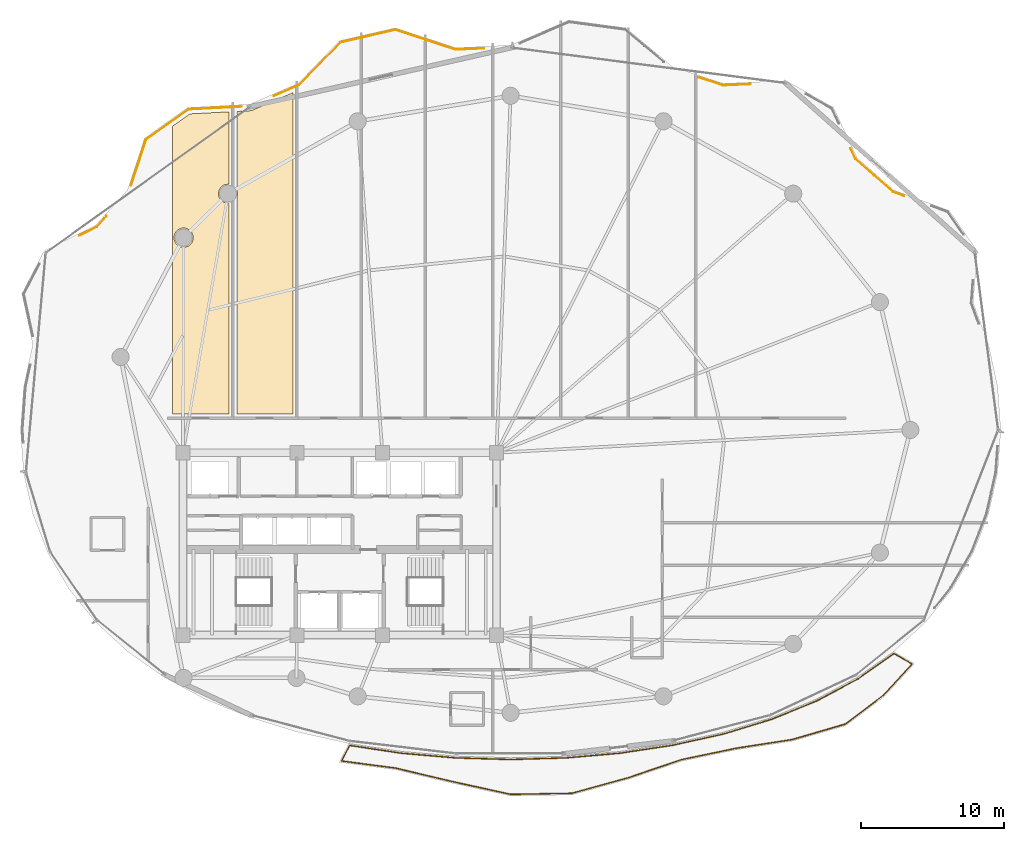
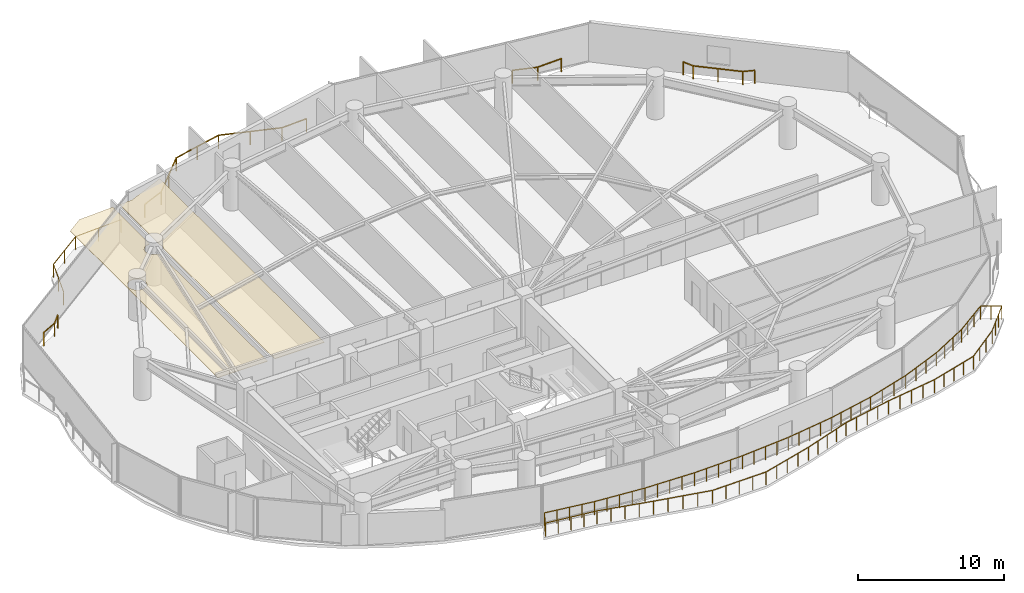
# One storey, part 32 of 33: 6 railings, 2 coverings.
"""IFC4 building model written with IfcOpenShell, lengths in metres."""

from ifc_helpers import new_model, si_unit, direction, frame, origin, origin_2d, place, context, subcontext, project, spatial, polyline, rectangle, outline, extrude, material, layer, layer_set, type_object, element, save


model = new_model("IFC4")

# Units and contexts
model_context = context("Model", 3, precision=1e-05, world=origin(), true_north=direction((0.0, 1.0)))
body_context = subcontext(model_context, "Body", "Model", "MODEL_VIEW")
ifc_project = project(units=[si_unit("LENGTHUNIT", "METRE"), si_unit("AREAUNIT", "SQUARE_METRE"), si_unit("VOLUMEUNIT", "CUBIC_METRE"), si_unit("PLANEANGLEUNIT", "RADIAN"), si_unit("MASSUNIT", "GRAM", prefix="KILO")], contexts=[model_context])

# Site, building, storey
site_placement = place(None, origin())
site = spatial("IfcSite", under=ifc_project, at=site_placement, CompositionType="ELEMENT")
building_placement = place(site_placement, origin())
building = spatial("IfcBuilding", under=site, at=building_placement, Name="Kazevale Care Tower and Concert Hall", CompositionType="ELEMENT")
storey_placement = place(building_placement, frame((0.0, 0.0, 178.199951171875)))
storey = spatial("IfcBuildingStorey", under=building, at=storey_placement, Name="L47", CompositionType="ELEMENT", Elevation=178.199951171875)

# Coverings
ifc_material_1 = material(Name="Acoustic Plaster and Hinoki Wood", Category="wood")
ifc_layer = layer(ifc_material_1, 0.0400390625)
ifc_layer_set = layer_set([ifc_layer], Name="Acoustic Plaster and Hinoki Wood")
covering_type = type_object("IfcCoveringType", Name="Acoustic Perforated Wood-Gypsum Ceiling", PredefinedType="CEILING", material=ifc_layer_set)
covering_1_placement = place(storey_placement, frame((0.0, 0.0, 2.630126953125)))
element("IfcCovering", 1, at=covering_1_placement, inside=storey, type_object=covering_type, Name="clg:L47:1", PredefinedType="CEILING", context=body_context, shape_type="SweptSolid", body=[
    extrude(outline(polyline([(25.219970703125, 55.2548828125), (24.909912109375, 55.2080078125), (24.68896484375, 55.06103515625), (24.5419921875, 54.840087890625), (24.489990234375, 54.580078125), (24.5419921875, 54.320068359375), (24.68896484375, 54.09912109375), (24.909912109375, 53.951904296875), (25.219970703125, 53.905029296875), (25.219970703125, 39.10498046875), (21.280029296875, 39.10498046875), (21.280029296875, 59.318115234375), (22.493896484375, 60.181884765625), (25.219970703125, 60.323974609375), (25.219970703125, 55.2548828125)]), holes=[polyline([(22.717041015625, 51.623046875), (22.614990234375, 51.867919921875), (22.427978515625, 52.054931640625), (22.18310546875, 52.156982421875), (21.9169921875, 52.156982421875), (21.672119140625, 52.054931640625), (21.485107421875, 51.867919921875), (21.383056640625, 51.623046875), (21.383056640625, 51.35693359375), (21.485107421875, 51.112060546875), (21.672119140625, 50.925048828125), (21.9169921875, 50.822998046875), (22.18310546875, 50.822998046875), (22.427978515625, 50.925048828125), (22.614990234375, 51.112060546875), (22.717041015625, 51.35693359375), (22.717041015625, 51.623046875)])]), origin(), (0.0, 0.0, 1.0), 0.0400390625),
])
covering_2_placement = place(storey_placement, frame((0.0, 0.0, 2.630126953125)))
element("IfcCovering", 2, at=covering_2_placement, inside=storey, type_object=covering_type, Name="clg:L47:2", PredefinedType="CEILING", context=body_context, shape_type="SweptSolid", body=[
    extrude(outline(polyline([(25.780029296875, 39.10498046875), (25.780029296875, 54.285888671875), (25.85009765625, 54.580078125), (25.780029296875, 54.8740234375), (25.780029296875, 60.35302734375), (26.804931640625, 60.406982421875), (29.719970703125, 61.6708984375), (29.719970703125, 39.10498046875), (25.780029296875, 39.10498046875)])), origin(), (0.0, 0.0, 1.0), 0.0400390625),
])

# Railings
ifc_material_2 = material(Name="Anodised Bronze Aluminium and Laminated Glass", Category="aluminium")
railing_type = type_object("IfcRailingType", Name="Balcony and Terrace Balustrade 1120", PredefinedType="BALUSTRADE", material=ifc_material_2)
railing_1_placement = place(storey_placement, frame((14.743896484375, 51.64599609375, 0.0)))
element("IfcRailing", 3, at=railing_1_placement, inside=storey, type_object=railing_type, Name="rail:L47:perim:3", PredefinedType="BALUSTRADE", context=body_context, shape_type="SweptSolid", body=[
    extrude(rectangle(XDim=0.048095703125, YDim=0.048095703125, at=origin_2d()), frame((0.0, 0.0, 1.09619140625), z_axis=(0.895181342234, 0.445702102885, 0.0), x_axis=(-0.445702102885, 0.895181342234, 0.0)), (0.0, 0.0, 1.0), 1.357421875),
    extrude(rectangle(XDim=0.048095703125, YDim=0.048095703125, at=origin_2d()), frame((1.215087890625, 0.60498046875, 1.09619140625), z_axis=(0.670216930837, 0.742165254926, 0.0), x_axis=(-0.742165254926, 0.670216930837, 0.0)), (0.0, 0.0, 1.0), 1.0009765625),
    extrude(rectangle(XDim=0.0419921875, YDim=0.0419921875, at=origin_2d()), origin(), (0.0, 0.0, 1.0), 1.072021484375),
    extrude(rectangle(XDim=0.0419921875, YDim=0.0419921875, at=origin_2d()), frame((1.215087890625, 0.60498046875, 0.0)), (0.0, 0.0, 1.0), 1.072021484375),
    extrude(rectangle(XDim=0.0419921875, YDim=0.0419921875, at=origin_2d()), frame((1.885986328125, 1.347900390625, 0.0)), (0.0, 0.0, 1.0), 1.072021484375),
])
railing_2_placement = place(storey_placement, frame((18.361083984375, 55.1640625, 0.0)))
element("IfcRailing", 4, at=railing_2_placement, inside=storey, type_object=railing_type, Name="rail:L47:perim:4", PredefinedType="BALUSTRADE", context=body_context, shape_type="SweptSolid", body=[
    extrude(rectangle(XDim=0.048095703125, YDim=0.048095703125, at=origin_2d()), frame((0.0, 0.0, 1.09619140625), z_axis=(0.31116334977, 0.95035644353, 0.0), x_axis=(-0.95035644353, 0.31116334977, 0.0)), (0.0, 0.0, 1.0), 3.38720703125),
    extrude(rectangle(XDim=0.048095703125, YDim=0.048095703125, at=origin_2d()), frame((1.053955078125, 3.218994140625, 1.09619140625), z_axis=(0.81472815081, 0.579843116953, 0.0), x_axis=(-0.579843116953, 0.81472815081, 0.0)), (0.0, 0.0, 1.0), 3.64404296875),
    extrude(rectangle(XDim=0.048095703125, YDim=0.048095703125, at=origin_2d()), frame((4.02294921875, 5.33203125, 1.09619140625), z_axis=(0.998638441981, 0.052165718614, 0.0), x_axis=(-0.052165718614, 0.998638441981, 0.0)), (0.0, 0.0, 1.0), 3.716064453125),
    extrude(rectangle(XDim=0.0419921875, YDim=0.0419921875, at=origin_2d()), origin(), (0.0, 0.0, 1.0), 1.072021484375),
    extrude(rectangle(XDim=0.0419921875, YDim=0.0419921875, at=origin_2d()), frame((0.52685546875, 1.609375, 0.0)), (0.0, 0.0, 1.0), 1.072021484375),
    extrude(rectangle(XDim=0.0419921875, YDim=0.0419921875, at=origin_2d()), frame((1.053955078125, 3.218994140625, 0.0)), (0.0, 0.0, 1.0), 1.072021484375),
    extrude(rectangle(XDim=0.0419921875, YDim=0.0419921875, at=origin_2d()), frame((2.53857421875, 4.275390625, 0.0)), (0.0, 0.0, 1.0), 1.072021484375),
    extrude(rectangle(XDim=0.0419921875, YDim=0.0419921875, at=origin_2d()), frame((4.02294921875, 5.33203125, 0.0)), (0.0, 0.0, 1.0), 1.072021484375),
    extrude(rectangle(XDim=0.0419921875, YDim=0.0419921875, at=origin_2d()), frame((5.87841796875, 5.428955078125, 0.0)), (0.0, 0.0, 1.0), 1.072021484375),
    extrude(rectangle(XDim=0.0419921875, YDim=0.0419921875, at=origin_2d()), frame((7.73388671875, 5.52587890625, 0.0)), (0.0, 0.0, 1.0), 1.072021484375),
])
railing_3_placement = place(storey_placement, frame((28.406982421875, 61.449951171875, 0.0)))
element("IfcRailing", 5, at=railing_3_placement, inside=storey, type_object=railing_type, Name="rail:L47:perim:5", PredefinedType="BALUSTRADE", context=body_context, shape_type="SweptSolid", body=[
    extrude(rectangle(XDim=0.048095703125, YDim=0.048095703125, at=origin_2d()), frame((0.0, 0.0, 1.09619140625), z_axis=(0.917259366497, 0.398290414866, 0.0), x_axis=(-0.398290414866, 0.917259366497, 0.0)), (0.0, 0.0, 1.0), 1.90576171875),
    extrude(rectangle(XDim=0.048095703125, YDim=0.048095703125, at=origin_2d()), frame((1.748046875, 0.759033203125, 1.09619140625), z_axis=(0.697682289334, 0.716407302551, 0.0), x_axis=(-0.716407302551, 0.697682289334, 0.0)), (0.0, 0.0, 1.0), 4.172119140625),
    extrude(rectangle(XDim=0.048095703125, YDim=0.048095703125, at=origin_2d()), frame((4.658935546875, 3.748046875, 1.09619140625), z_axis=(0.974660011093, 0.223691445471, 0.0), x_axis=(-0.223691445471, 0.974660011093, 0.0)), (0.0, 0.0, 1.0), 3.93896484375),
    extrude(rectangle(XDim=0.048095703125, YDim=0.048095703125, at=origin_2d()), frame((8.498046875, 4.629150390625, 1.09619140625), z_axis=(0.949878818656, -0.31261834538, 0.0), x_axis=(0.31261834538, 0.949878818656, 0.0)), (0.0, 0.0, 1.0), 4.44677734375),
    extrude(rectangle(XDim=0.048095703125, YDim=0.048095703125, at=origin_2d()), frame((12.721923828125, 3.239013671875, 1.09619140625), z_axis=(0.999018758403, 0.044289054622, 0.0), x_axis=(-0.044289054622, 0.999018758403, 0.0)), (0.0, 0.0, 1.0), 1.989990234375),
    extrude(rectangle(XDim=0.0419921875, YDim=0.0419921875, at=origin_2d()), origin(), (0.0, 0.0, 1.0), 1.072021484375),
    extrude(rectangle(XDim=0.0419921875, YDim=0.0419921875, at=origin_2d()), frame((1.748046875, 0.759033203125, 0.0)), (0.0, 0.0, 1.0), 1.072021484375),
    extrude(rectangle(XDim=0.0419921875, YDim=0.0419921875, at=origin_2d()), frame((3.20361328125, 2.25341796875, 0.0)), (0.0, 0.0, 1.0), 1.072021484375),
    extrude(rectangle(XDim=0.0419921875, YDim=0.0419921875, at=origin_2d()), frame((4.658935546875, 3.748046875, 0.0)), (0.0, 0.0, 1.0), 1.072021484375),
    extrude(rectangle(XDim=0.0419921875, YDim=0.0419921875, at=origin_2d()), frame((6.57861328125, 4.1884765625, 0.0)), (0.0, 0.0, 1.0), 1.072021484375),
    extrude(rectangle(XDim=0.0419921875, YDim=0.0419921875, at=origin_2d()), frame((8.498046875, 4.629150390625, 0.0)), (0.0, 0.0, 1.0), 1.072021484375),
    extrude(rectangle(XDim=0.0419921875, YDim=0.0419921875, at=origin_2d()), frame((10.60986328125, 3.93408203125, 0.0)), (0.0, 0.0, 1.0), 1.072021484375),
    extrude(rectangle(XDim=0.0419921875, YDim=0.0419921875, at=origin_2d()), frame((12.721923828125, 3.239013671875, 0.0)), (0.0, 0.0, 1.0), 1.072021484375),
    extrude(rectangle(XDim=0.0419921875, YDim=0.0419921875, at=origin_2d()), frame((14.7099609375, 3.3271484375, 0.0)), (0.0, 0.0, 1.0), 1.072021484375),
])
railing_4_placement = place(storey_placement, frame((58.218017578125, 62.73388671875, 0.0)))
element("IfcRailing", 6, at=railing_4_placement, inside=storey, type_object=railing_type, Name="rail:L47:perim:7", PredefinedType="BALUSTRADE", context=body_context, shape_type="SweptSolid", body=[
    extrude(rectangle(XDim=0.048095703125, YDim=0.048095703125, at=origin_2d()), frame((0.0, 0.0, 1.09619140625), z_axis=(0.950995651037, -0.309204255645, 0.0), x_axis=(0.309204255645, 0.950995651037, 0.0)), (0.0, 0.0, 1.0), 1.77490234375),
    extrude(rectangle(XDim=0.048095703125, YDim=0.048095703125, at=origin_2d()), frame((1.68798828125, -0.548828125, 1.09619140625), z_axis=(0.99909423761, 0.042552372143, 0.0), x_axis=(-0.042552372143, 0.99909423761, 0.0)), (0.0, 0.0, 1.0), 1.927734375),
    extrude(rectangle(XDim=0.0419921875, YDim=0.0419921875, at=origin_2d()), origin(), (0.0, 0.0, 1.0), 1.072021484375),
    extrude(rectangle(XDim=0.0419921875, YDim=0.0419921875, at=origin_2d()), frame((1.68798828125, -0.548828125, 0.0)), (0.0, 0.0, 1.0), 1.072021484375),
    extrude(rectangle(XDim=0.0419921875, YDim=0.0419921875, at=origin_2d()), frame((3.614013671875, -0.466796875, 0.0)), (0.0, 0.0, 1.0), 1.072021484375),
])
railing_5_placement = place(storey_placement, frame((68.85693359375, 57.760009765625, 0.0)))
element("IfcRailing", 7, at=railing_5_placement, inside=storey, type_object=railing_type, Name="rail:L47:perim:9", PredefinedType="BALUSTRADE", context=body_context, shape_type="SweptSolid", body=[
    extrude(rectangle(XDim=0.048095703125, YDim=0.048095703125, at=origin_2d()), frame((0.0, 0.0, 1.09619140625), z_axis=(0.42407317981, -0.905627924794, 0.0), x_axis=(0.905627924794, 0.42407317981, 0.0)), (0.0, 0.0, 1.0), 0.83251953125),
    extrude(rectangle(XDim=0.048095703125, YDim=0.048095703125, at=origin_2d()), frame((0.35302734375, -0.75390625, 1.09619140625), z_axis=(0.751344255412, -0.65991045594, 0.0), x_axis=(0.65991045594, 0.751344255412, 0.0)), (0.0, 0.0, 1.0), 3.4765625),
    extrude(rectangle(XDim=0.048095703125, YDim=0.048095703125, at=origin_2d()), frame((2.965087890625, -3.048095703125, 1.09619140625), z_axis=(0.938403352722, -0.345541817439, 0.0), x_axis=(0.345541817439, 0.938403352722, 0.0)), (0.0, 0.0, 1.0), 0.830078125),
    extrude(rectangle(XDim=0.0419921875, YDim=0.0419921875, at=origin_2d()), origin(), (0.0, 0.0, 1.0), 1.072021484375),
    extrude(rectangle(XDim=0.0419921875, YDim=0.0419921875, at=origin_2d()), frame((0.35302734375, -0.75390625, 0.0)), (0.0, 0.0, 1.0), 1.072021484375),
    extrude(rectangle(XDim=0.0419921875, YDim=0.0419921875, at=origin_2d()), frame((1.6591796875, -1.90087890625, 0.0)), (0.0, 0.0, 1.0), 1.072021484375),
    extrude(rectangle(XDim=0.0419921875, YDim=0.0419921875, at=origin_2d()), frame((2.965087890625, -3.048095703125, 0.0)), (0.0, 0.0, 1.0), 1.072021484375),
    extrude(rectangle(XDim=0.0419921875, YDim=0.0419921875, at=origin_2d()), frame((3.744140625, -3.3349609375, 0.0)), (0.0, 0.0, 1.0), 1.072021484375),
])
railing_6_placement = place(storey_placement, frame((33.702880859375, 15.861083984375, 0.0)))
element("IfcRailing", 8, at=railing_6_placement, inside=storey, type_object=railing_type, Name="rail:L47:balcony", PredefinedType="BALUSTRADE", context=body_context, shape_type="SweptSolid", body=[
    extrude(rectangle(XDim=0.048095703125, YDim=0.048095703125, at=origin_2d()), frame((0.0, 0.0, 1.09619140625), z_axis=(0.988898738041, -0.148591002089, 0.0), x_axis=(0.148591002089, 0.988898738041, 0.0)), (0.0, 0.0, 1.0), 3.6689453125),
    extrude(rectangle(XDim=0.048095703125, YDim=0.048095703125, at=origin_2d()), frame((3.628173828125, -0.545166015625, 1.09619140625), z_axis=(0.996251838222, -0.086500143585, 0.0), x_axis=(0.086500143585, 0.996251838222, 0.0)), (0.0, 0.0, 1.0), 3.824462890625),
    extrude(rectangle(XDim=0.048095703125, YDim=0.048095703125, at=origin_2d()), frame((7.438232421875, -0.8759765625, 1.09619140625), z_axis=(0.999593168995, -0.028521860004, 0.0), x_axis=(0.028521860004, 0.999593168995, 0.0)), (0.0, 0.0, 1.0), 3.8603515625),
    extrude(rectangle(XDim=0.048095703125, YDim=0.048095703125, at=origin_2d()), frame((11.297119140625, -0.986083984375, 1.09619140625), z_axis=(0.999593168995, 0.028521860004, 0.0), x_axis=(-0.028521860004, 0.999593168995, 0.0)), (0.0, 0.0, 1.0), 3.8603515625),
    extrude(rectangle(XDim=0.048095703125, YDim=0.048095703125, at=origin_2d()), frame((15.156005859375, -0.8759765625, 1.09619140625), z_axis=(0.996251838222, 0.086500143585, 0.0), x_axis=(-0.086500143585, 0.996251838222, 0.0)), (0.0, 0.0, 1.0), 3.824462890625),
    extrude(rectangle(XDim=0.048095703125, YDim=0.048095703125, at=origin_2d()), frame((18.966064453125, -0.545166015625, 1.09619140625), z_axis=(0.988903437953, 0.148559719995, 0.0), x_axis=(-0.148559719995, 0.988903437953, 0.0)), (0.0, 0.0, 1.0), 3.7568359375),
    extrude(rectangle(XDim=0.048095703125, YDim=0.048095703125, at=origin_2d()), frame((22.68115234375, 0.012939453125, 1.09619140625), z_axis=(0.9762591871, 0.216605631512, 0.0), x_axis=(-0.216605631512, 0.9762591871, 0.0)), (0.0, 0.0, 1.0), 3.660888671875),
    extrude(rectangle(XDim=0.048095703125, YDim=0.048095703125, at=origin_2d()), frame((26.255126953125, 0.805908203125, 1.09619140625), z_axis=(0.956153868694, 0.292864780028, 0.0), x_axis=(-0.292864780028, 0.956153868694, 0.0)), (0.0, 0.0, 1.0), 3.541259765625),
    extrude(rectangle(XDim=0.048095703125, YDim=0.048095703125, at=origin_2d()), frame((29.64111328125, 1.843017578125, 1.09619140625), z_axis=(0.925821569017, 0.377960874089, 0.0), x_axis=(-0.377960874089, 0.925821569017, 0.0)), (0.0, 0.0, 1.0), 3.409912109375),
    extrude(rectangle(XDim=0.048095703125, YDim=0.048095703125, at=origin_2d()), frame((32.798095703125, 3.1318359375, 1.09619140625), z_axis=(0.881173131857, 0.472793730598, 0.0), x_axis=(-0.472793730598, 0.881173131857, 0.0)), (0.0, 0.0, 1.0), 3.278564453125),
    extrude(rectangle(XDim=0.048095703125, YDim=0.048095703125, at=origin_2d()), frame((35.68701171875, 4.681884765625, 1.09619140625), z_axis=(0.818641866863, 0.574304356435, 0.0), x_axis=(-0.574304356435, 0.818641866863, 0.0)), (0.0, 0.0, 1.0), 3.073486328125),
    extrude(rectangle(XDim=0.048095703125, YDim=0.048095703125, at=origin_2d()), frame((38.203125, 6.447021484375, 1.09619140625), z_axis=(0.865840983683, -0.50031928903, 0.0), x_axis=(0.50031928903, 0.865840983683, 0.0)), (0.0, 0.0, 1.0), 1.46337890625),
    extrude(rectangle(XDim=0.048095703125, YDim=0.048095703125, at=origin_2d()), frame((39.47021484375, 5.71484375, 1.09619140625), z_axis=(-0.677760714556, -0.735282540119, 0.0), x_axis=(0.735282540119, -0.677760714556, 0.0)), (0.0, 0.0, 1.0), 2.988037109375),
    extrude(rectangle(XDim=0.048095703125, YDim=0.048095703125, at=origin_2d()), frame((37.445068359375, 3.517822265625, 1.09619140625), z_axis=(-0.796619479202, -0.604481104217, 0.0), x_axis=(0.604481104217, -0.796619479202, 0.0)), (0.0, 0.0, 1.0), 3.33154296875),
    extrude(rectangle(XDim=0.048095703125, YDim=0.048095703125, at=origin_2d()), frame((34.791015625, 1.50390625, 1.09619140625), z_axis=(-0.959966076175, -0.280116284057, 0.0), x_axis=(0.280116284057, -0.959966076175, 0.0)), (0.0, 0.0, 1.0), 3.869873046875),
    extrude(rectangle(XDim=0.048095703125, YDim=0.048095703125, at=origin_2d()), frame((31.076171875, 0.419921875, 1.09619140625), z_axis=(-0.988068349256, -0.154016029031, 0.0), x_axis=(0.154016029031, -0.988068349256, 0.0)), (0.0, 0.0, 1.0), 4.04541015625),
    extrude(rectangle(XDim=0.048095703125, YDim=0.048095703125, at=origin_2d()), frame((27.0791015625, -0.203125, 1.09619140625), z_axis=(-0.978876334501, -0.204453226322, 0.0), x_axis=(0.204453226322, -0.978876334501, 0.0)), (0.0, 0.0, 1.0), 3.887939453125),
    extrude(rectangle(XDim=0.048095703125, YDim=0.048095703125, at=origin_2d()), frame((23.273193359375, -0.998046875, 1.09619140625), z_axis=(-0.946815813512, -0.321776032797, 0.0), x_axis=(0.321776032797, -0.946815813512, 0.0)), (0.0, 0.0, 1.0), 3.903564453125),
    extrude(rectangle(XDim=0.048095703125, YDim=0.048095703125, at=origin_2d()), frame((19.5771484375, -2.254150390625, 1.09619140625), z_axis=(-0.96379724587, -0.266636210694, 0.0), x_axis=(0.266636210694, -0.96379724587, 0.0)), (0.0, 0.0, 1.0), 4.13671875),
    extrude(rectangle(XDim=0.048095703125, YDim=0.048095703125, at=origin_2d()), frame((15.590087890625, -3.357177734375, 1.09619140625), z_axis=(-0.999854652975, -0.017049132663, 0.0), x_axis=(0.017049132663, -0.999854652975, 0.0)), (0.0, 0.0, 1.0), 4.28173828125),
    extrude(rectangle(XDim=0.048095703125, YDim=0.048095703125, at=origin_2d()), frame((11.30908203125, -3.43017578125, 1.09619140625), z_axis=(-0.976934831163, 0.213537668014, 0.0), x_axis=(-0.213537668014, -0.976934831163, 0.0)), (0.0, 0.0, 1.0), 4.253173828125),
    extrude(rectangle(XDim=0.048095703125, YDim=0.048095703125, at=origin_2d()), frame((7.154052734375, -2.52197265625, 1.09619140625), z_axis=(-0.972925500822, 0.231118951734, 0.0), x_axis=(-0.231118951734, -0.972925500822, 0.0)), (0.0, 0.0, 1.0), 4.036376953125),
    extrude(rectangle(XDim=0.048095703125, YDim=0.048095703125, at=origin_2d()), frame((3.22705078125, -1.589111328125, 1.09619140625), z_axis=(-0.99144298825, 0.130540419221, 0.0), x_axis=(-0.130540419221, -0.99144298825, 0.0)), (0.0, 0.0, 1.0), 3.82275390625),
    extrude(rectangle(XDim=0.048095703125, YDim=0.048095703125, at=origin_2d()), frame((-0.56298828125, -1.090087890625, 1.09619140625), z_axis=(0.458876069892, 0.888500282769, 0.0), x_axis=(-0.888500282769, 0.458876069892, 0.0)), (0.0, 0.0, 1.0), 1.226806640625),
    extrude(rectangle(XDim=0.0419921875, YDim=0.0419921875, at=origin_2d()), origin(), (0.0, 0.0, 1.0), 1.072021484375),
    extrude(rectangle(XDim=0.0419921875, YDim=0.0419921875, at=origin_2d()), frame((0.906982421875, -0.13623046875, 0.0)), (0.0, 0.0, 1.0), 1.072021484375),
    extrude(rectangle(XDim=0.0419921875, YDim=0.0419921875, at=origin_2d()), frame((1.81396484375, -0.2724609375, 0.0)), (0.0, 0.0, 1.0), 1.072021484375),
    extrude(rectangle(XDim=0.0419921875, YDim=0.0419921875, at=origin_2d()), frame((2.72119140625, -0.408935546875, 0.0)), (0.0, 0.0, 1.0), 1.072021484375),
    extrude(rectangle(XDim=0.0419921875, YDim=0.0419921875, at=origin_2d()), frame((3.628173828125, -0.545166015625, 0.0)), (0.0, 0.0, 1.0), 1.072021484375),
    extrude(rectangle(XDim=0.0419921875, YDim=0.0419921875, at=origin_2d()), frame((4.58056640625, -0.6279296875, 0.0)), (0.0, 0.0, 1.0), 1.072021484375),
    extrude(rectangle(XDim=0.0419921875, YDim=0.0419921875, at=origin_2d()), frame((5.533203125, -0.71044921875, 0.0)), (0.0, 0.0, 1.0), 1.072021484375),
    extrude(rectangle(XDim=0.0419921875, YDim=0.0419921875, at=origin_2d()), frame((6.48583984375, -0.793212890625, 0.0)), (0.0, 0.0, 1.0), 1.072021484375),
    extrude(rectangle(XDim=0.0419921875, YDim=0.0419921875, at=origin_2d()), frame((7.438232421875, -0.8759765625, 0.0)), (0.0, 0.0, 1.0), 1.072021484375),
    extrude(rectangle(XDim=0.0419921875, YDim=0.0419921875, at=origin_2d()), frame((8.40283203125, -0.903564453125, 0.0)), (0.0, 0.0, 1.0), 1.072021484375),
    extrude(rectangle(XDim=0.0419921875, YDim=0.0419921875, at=origin_2d()), frame((9.36767578125, -0.93115234375, 0.0)), (0.0, 0.0, 1.0), 1.072021484375),
    extrude(rectangle(XDim=0.0419921875, YDim=0.0419921875, at=origin_2d()), frame((10.33251953125, -0.95849609375, 0.0)), (0.0, 0.0, 1.0), 1.072021484375),
    extrude(rectangle(XDim=0.0419921875, YDim=0.0419921875, at=origin_2d()), frame((11.297119140625, -0.986083984375, 0.0)), (0.0, 0.0, 1.0), 1.072021484375),
    extrude(rectangle(XDim=0.0419921875, YDim=0.0419921875, at=origin_2d()), frame((12.26171875, -0.95849609375, 0.0)), (0.0, 0.0, 1.0), 1.072021484375),
    extrude(rectangle(XDim=0.0419921875, YDim=0.0419921875, at=origin_2d()), frame((13.2265625, -0.93115234375, 0.0)), (0.0, 0.0, 1.0), 1.072021484375),
    extrude(rectangle(XDim=0.0419921875, YDim=0.0419921875, at=origin_2d()), frame((14.19140625, -0.903564453125, 0.0)), (0.0, 0.0, 1.0), 1.072021484375),
    extrude(rectangle(XDim=0.0419921875, YDim=0.0419921875, at=origin_2d()), frame((15.156005859375, -0.8759765625, 0.0)), (0.0, 0.0, 1.0), 1.072021484375),
    extrude(rectangle(XDim=0.0419921875, YDim=0.0419921875, at=origin_2d()), frame((16.1083984375, -0.793212890625, 0.0)), (0.0, 0.0, 1.0), 1.072021484375),
    extrude(rectangle(XDim=0.0419921875, YDim=0.0419921875, at=origin_2d()), frame((17.06103515625, -0.71044921875, 0.0)), (0.0, 0.0, 1.0), 1.072021484375),
    extrude(rectangle(XDim=0.0419921875, YDim=0.0419921875, at=origin_2d()), frame((18.013671875, -0.6279296875, 0.0)), (0.0, 0.0, 1.0), 1.072021484375),
    extrude(rectangle(XDim=0.0419921875, YDim=0.0419921875, at=origin_2d()), frame((18.966064453125, -0.545166015625, 0.0)), (0.0, 0.0, 1.0), 1.072021484375),
    extrude(rectangle(XDim=0.0419921875, YDim=0.0419921875, at=origin_2d()), frame((19.894775390625, -0.40576171875, 0.0)), (0.0, 0.0, 1.0), 1.072021484375),
    extrude(rectangle(XDim=0.0419921875, YDim=0.0419921875, at=origin_2d()), frame((20.82373046875, -0.26611328125, 0.0)), (0.0, 0.0, 1.0), 1.072021484375),
    extrude(rectangle(XDim=0.0419921875, YDim=0.0419921875, at=origin_2d()), frame((21.75244140625, -0.12646484375, 0.0)), (0.0, 0.0, 1.0), 1.072021484375),
    extrude(rectangle(XDim=0.0419921875, YDim=0.0419921875, at=origin_2d()), frame((22.68115234375, 0.012939453125, 0.0)), (0.0, 0.0, 1.0), 1.072021484375),
    extrude(rectangle(XDim=0.0419921875, YDim=0.0419921875, at=origin_2d()), frame((23.57470703125, 0.211181640625, 0.0)), (0.0, 0.0, 1.0), 1.072021484375),
    extrude(rectangle(XDim=0.0419921875, YDim=0.0419921875, at=origin_2d()), frame((24.46826171875, 0.409423828125, 0.0)), (0.0, 0.0, 1.0), 1.072021484375),
    extrude(rectangle(XDim=0.0419921875, YDim=0.0419921875, at=origin_2d()), frame((25.361572265625, 0.607666015625, 0.0)), (0.0, 0.0, 1.0), 1.072021484375),
    extrude(rectangle(XDim=0.0419921875, YDim=0.0419921875, at=origin_2d()), frame((26.255126953125, 0.805908203125, 0.0)), (0.0, 0.0, 1.0), 1.072021484375),
    extrude(rectangle(XDim=0.0419921875, YDim=0.0419921875, at=origin_2d()), frame((27.3837890625, 1.151611328125, 0.0)), (0.0, 0.0, 1.0), 1.072021484375),
    extrude(rectangle(XDim=0.0419921875, YDim=0.0419921875, at=origin_2d()), frame((28.512451171875, 1.497314453125, 0.0)), (0.0, 0.0, 1.0), 1.072021484375),
    extrude(rectangle(XDim=0.0419921875, YDim=0.0419921875, at=origin_2d()), frame((29.64111328125, 1.843017578125, 0.0)), (0.0, 0.0, 1.0), 1.072021484375),
    extrude(rectangle(XDim=0.0419921875, YDim=0.0419921875, at=origin_2d()), frame((30.693359375, 2.272705078125, 0.0)), (0.0, 0.0, 1.0), 1.072021484375),
    extrude(rectangle(XDim=0.0419921875, YDim=0.0419921875, at=origin_2d()), frame((31.745849609375, 2.7021484375, 0.0)), (0.0, 0.0, 1.0), 1.072021484375),
    extrude(rectangle(XDim=0.0419921875, YDim=0.0419921875, at=origin_2d()), frame((32.798095703125, 3.1318359375, 0.0)), (0.0, 0.0, 1.0), 1.072021484375),
    extrude(rectangle(XDim=0.0419921875, YDim=0.0419921875, at=origin_2d()), frame((33.760986328125, 3.6484375, 0.0)), (0.0, 0.0, 1.0), 1.072021484375),
    extrude(rectangle(XDim=0.0419921875, YDim=0.0419921875, at=origin_2d()), frame((34.72412109375, 4.165283203125, 0.0)), (0.0, 0.0, 1.0), 1.072021484375),
    extrude(rectangle(XDim=0.0419921875, YDim=0.0419921875, at=origin_2d()), frame((35.68701171875, 4.681884765625, 0.0)), (0.0, 0.0, 1.0), 1.072021484375),
    extrude(rectangle(XDim=0.0419921875, YDim=0.0419921875, at=origin_2d()), frame((36.525634765625, 5.270263671875, 0.0)), (0.0, 0.0, 1.0), 1.072021484375),
    extrude(rectangle(XDim=0.0419921875, YDim=0.0419921875, at=origin_2d()), frame((37.364501953125, 5.858642578125, 0.0)), (0.0, 0.0, 1.0), 1.072021484375),
    extrude(rectangle(XDim=0.0419921875, YDim=0.0419921875, at=origin_2d()), frame((38.203125, 6.447021484375, 0.0)), (0.0, 0.0, 1.0), 1.072021484375),
    extrude(rectangle(XDim=0.0419921875, YDim=0.0419921875, at=origin_2d()), frame((38.836669921875, 6.0810546875, 0.0)), (0.0, 0.0, 1.0), 1.072021484375),
    extrude(rectangle(XDim=0.0419921875, YDim=0.0419921875, at=origin_2d()), frame((39.47021484375, 5.71484375, 0.0)), (0.0, 0.0, 1.0), 1.072021484375),
    extrude(rectangle(XDim=0.0419921875, YDim=0.0419921875, at=origin_2d()), frame((38.795166015625, 4.982421875, 0.0)), (0.0, 0.0, 1.0), 1.072021484375),
    extrude(rectangle(XDim=0.0419921875, YDim=0.0419921875, at=origin_2d()), frame((38.1201171875, 4.250244140625, 0.0)), (0.0, 0.0, 1.0), 1.072021484375),
    extrude(rectangle(XDim=0.0419921875, YDim=0.0419921875, at=origin_2d()), frame((37.445068359375, 3.517822265625, 0.0)), (0.0, 0.0, 1.0), 1.072021484375),
    extrude(rectangle(XDim=0.0419921875, YDim=0.0419921875, at=origin_2d()), frame((36.560302734375, 2.846435546875, 0.0)), (0.0, 0.0, 1.0), 1.072021484375),
    extrude(rectangle(XDim=0.0419921875, YDim=0.0419921875, at=origin_2d()), frame((35.67578125, 2.17529296875, 0.0)), (0.0, 0.0, 1.0), 1.072021484375),
    extrude(rectangle(XDim=0.0419921875, YDim=0.0419921875, at=origin_2d()), frame((34.791015625, 1.50390625, 0.0)), (0.0, 0.0, 1.0), 1.072021484375),
    extrude(rectangle(XDim=0.0419921875, YDim=0.0419921875, at=origin_2d()), frame((33.8623046875, 1.23291015625, 0.0)), (0.0, 0.0, 1.0), 1.072021484375),
    extrude(rectangle(XDim=0.0419921875, YDim=0.0419921875, at=origin_2d()), frame((32.93359375, 0.9619140625, 0.0)), (0.0, 0.0, 1.0), 1.072021484375),
    extrude(rectangle(XDim=0.0419921875, YDim=0.0419921875, at=origin_2d()), frame((32.0048828125, 0.69091796875, 0.0)), (0.0, 0.0, 1.0), 1.072021484375),
    extrude(rectangle(XDim=0.0419921875, YDim=0.0419921875, at=origin_2d()), frame((31.076171875, 0.419921875, 0.0)), (0.0, 0.0, 1.0), 1.072021484375),
    extrude(rectangle(XDim=0.0419921875, YDim=0.0419921875, at=origin_2d()), frame((30.076904296875, 0.26416015625, 0.0)), (0.0, 0.0, 1.0), 1.072021484375),
    extrude(rectangle(XDim=0.0419921875, YDim=0.0419921875, at=origin_2d()), frame((29.07763671875, 0.1083984375, 0.0)), (0.0, 0.0, 1.0), 1.072021484375),
    extrude(rectangle(XDim=0.0419921875, YDim=0.0419921875, at=origin_2d()), frame((28.078369140625, -0.04736328125, 0.0)), (0.0, 0.0, 1.0), 1.072021484375),
    extrude(rectangle(XDim=0.0419921875, YDim=0.0419921875, at=origin_2d()), frame((27.0791015625, -0.203125, 0.0)), (0.0, 0.0, 1.0), 1.072021484375),
    extrude(rectangle(XDim=0.0419921875, YDim=0.0419921875, at=origin_2d()), frame((26.127685546875, -0.40185546875, 0.0)), (0.0, 0.0, 1.0), 1.072021484375),
    extrude(rectangle(XDim=0.0419921875, YDim=0.0419921875, at=origin_2d()), frame((25.17626953125, -0.6005859375, 0.0)), (0.0, 0.0, 1.0), 1.072021484375),
    extrude(rectangle(XDim=0.0419921875, YDim=0.0419921875, at=origin_2d()), frame((24.224609375, -0.79931640625, 0.0)), (0.0, 0.0, 1.0), 1.072021484375),
    extrude(rectangle(XDim=0.0419921875, YDim=0.0419921875, at=origin_2d()), frame((23.273193359375, -0.998046875, 0.0)), (0.0, 0.0, 1.0), 1.072021484375),
    extrude(rectangle(XDim=0.0419921875, YDim=0.0419921875, at=origin_2d()), frame((22.34912109375, -1.31201171875, 0.0)), (0.0, 0.0, 1.0), 1.072021484375),
    extrude(rectangle(XDim=0.0419921875, YDim=0.0419921875, at=origin_2d()), frame((21.42529296875, -1.6259765625, 0.0)), (0.0, 0.0, 1.0), 1.072021484375),
    extrude(rectangle(XDim=0.0419921875, YDim=0.0419921875, at=origin_2d()), frame((20.501220703125, -1.940185546875, 0.0)), (0.0, 0.0, 1.0), 1.072021484375),
    extrude(rectangle(XDim=0.0419921875, YDim=0.0419921875, at=origin_2d()), frame((19.5771484375, -2.254150390625, 0.0)), (0.0, 0.0, 1.0), 1.072021484375),
    extrude(rectangle(XDim=0.0419921875, YDim=0.0419921875, at=origin_2d()), frame((18.580322265625, -2.52978515625, 0.0)), (0.0, 0.0, 1.0), 1.072021484375),
    extrude(rectangle(XDim=0.0419921875, YDim=0.0419921875, at=origin_2d()), frame((17.58349609375, -2.8056640625, 0.0)), (0.0, 0.0, 1.0), 1.072021484375),
    extrude(rectangle(XDim=0.0419921875, YDim=0.0419921875, at=origin_2d()), frame((16.5869140625, -3.08154296875, 0.0)), (0.0, 0.0, 1.0), 1.072021484375),
    extrude(rectangle(XDim=0.0419921875, YDim=0.0419921875, at=origin_2d()), frame((15.590087890625, -3.357177734375, 0.0)), (0.0, 0.0, 1.0), 1.072021484375),
    extrude(rectangle(XDim=0.0419921875, YDim=0.0419921875, at=origin_2d()), frame((14.519775390625, -3.37548828125, 0.0)), (0.0, 0.0, 1.0), 1.072021484375),
    extrude(rectangle(XDim=0.0419921875, YDim=0.0419921875, at=origin_2d()), frame((13.44970703125, -3.3935546875, 0.0)), (0.0, 0.0, 1.0), 1.072021484375),
    extrude(rectangle(XDim=0.0419921875, YDim=0.0419921875, at=origin_2d()), frame((12.37939453125, -3.411865234375, 0.0)), (0.0, 0.0, 1.0), 1.072021484375),
    extrude(rectangle(XDim=0.0419921875, YDim=0.0419921875, at=origin_2d()), frame((11.30908203125, -3.43017578125, 0.0)), (0.0, 0.0, 1.0), 1.072021484375),
    extrude(rectangle(XDim=0.0419921875, YDim=0.0419921875, at=origin_2d()), frame((10.270263671875, -3.203125, 0.0)), (0.0, 0.0, 1.0), 1.072021484375),
    extrude(rectangle(XDim=0.0419921875, YDim=0.0419921875, at=origin_2d()), frame((9.2314453125, -2.97607421875, 0.0)), (0.0, 0.0, 1.0), 1.072021484375),
    extrude(rectangle(XDim=0.0419921875, YDim=0.0419921875, at=origin_2d()), frame((8.19287109375, -2.7490234375, 0.0)), (0.0, 0.0, 1.0), 1.072021484375),
    extrude(rectangle(XDim=0.0419921875, YDim=0.0419921875, at=origin_2d()), frame((7.154052734375, -2.52197265625, 0.0)), (0.0, 0.0, 1.0), 1.072021484375),
    extrude(rectangle(XDim=0.0419921875, YDim=0.0419921875, at=origin_2d()), frame((6.17236328125, -2.288818359375, 0.0)), (0.0, 0.0, 1.0), 1.072021484375),
    extrude(rectangle(XDim=0.0419921875, YDim=0.0419921875, at=origin_2d()), frame((5.1904296875, -2.0556640625, 0.0)), (0.0, 0.0, 1.0), 1.072021484375),
    extrude(rectangle(XDim=0.0419921875, YDim=0.0419921875, at=origin_2d()), frame((4.208740234375, -1.822265625, 0.0)), (0.0, 0.0, 1.0), 1.072021484375),
    extrude(rectangle(XDim=0.0419921875, YDim=0.0419921875, at=origin_2d()), frame((3.22705078125, -1.589111328125, 0.0)), (0.0, 0.0, 1.0), 1.072021484375),
    extrude(rectangle(XDim=0.0419921875, YDim=0.0419921875, at=origin_2d()), frame((2.279541015625, -1.46435546875, 0.0)), (0.0, 0.0, 1.0), 1.072021484375),
    extrude(rectangle(XDim=0.0419921875, YDim=0.0419921875, at=origin_2d()), frame((1.33203125, -1.339599609375, 0.0)), (0.0, 0.0, 1.0), 1.072021484375),
    extrude(rectangle(XDim=0.0419921875, YDim=0.0419921875, at=origin_2d()), frame((0.384521484375, -1.21484375, 0.0)), (0.0, 0.0, 1.0), 1.072021484375),
    extrude(rectangle(XDim=0.0419921875, YDim=0.0419921875, at=origin_2d()), frame((-0.56298828125, -1.090087890625, 0.0)), (0.0, 0.0, 1.0), 1.072021484375),
    extrude(rectangle(XDim=0.0419921875, YDim=0.0419921875, at=origin_2d()), frame((-0.281494140625, -0.544921875, 0.0)), (0.0, 0.0, 1.0), 1.072021484375),
])

save(model, "model.ifc")
